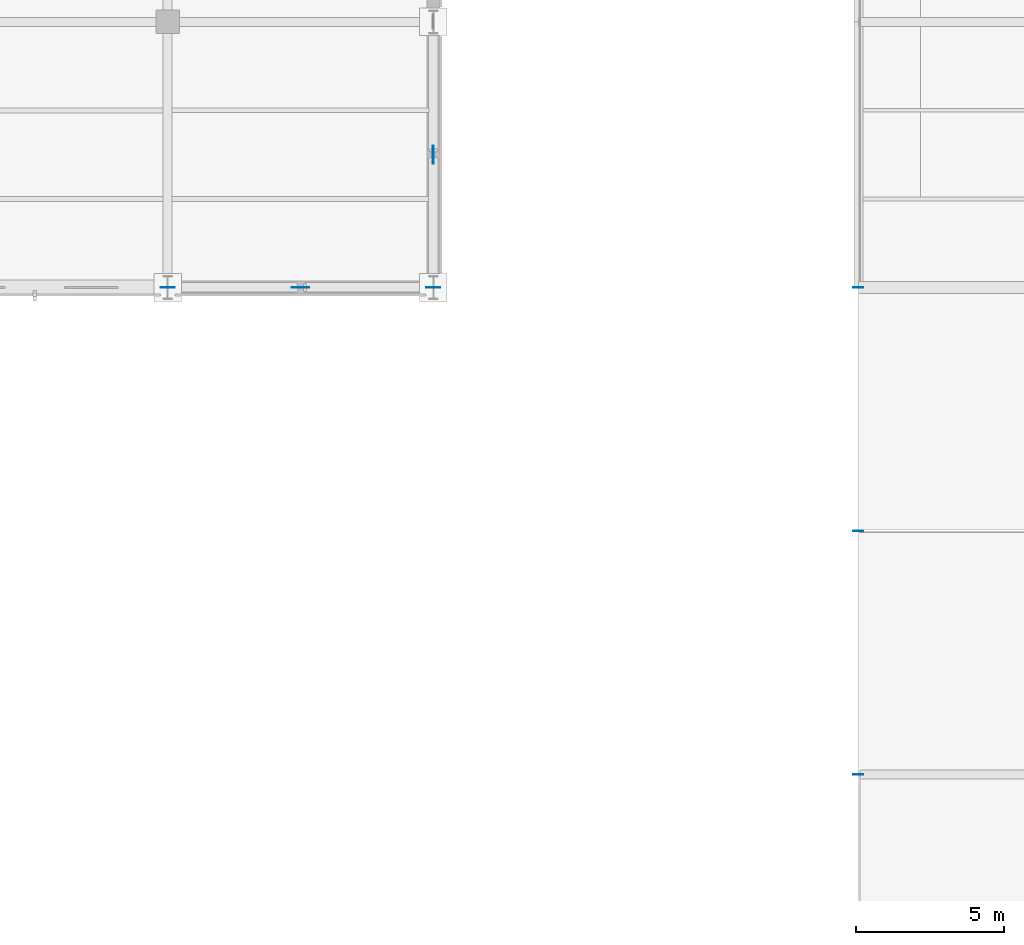
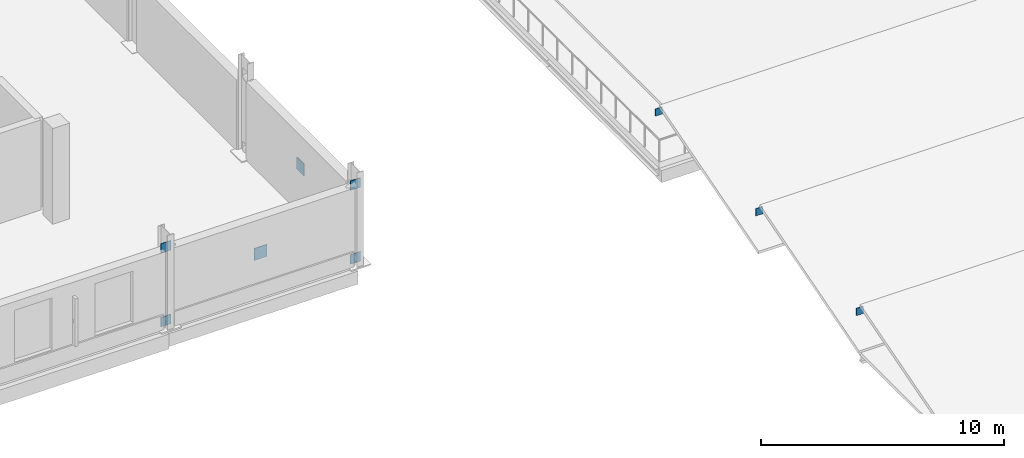
# One storey, part 23 of 54: 9 plates.
"""IFC4 building model written with IfcOpenShell, lengths in metres."""

from ifc_helpers import new_model, si_unit, direction, frame, origin, origin_2d, place, context, subcontext, project, spatial, rectangle, extrude, material, layer, layer_set, type_object, element, save


model = new_model("IFC4")

# Units and contexts
model_context = context("Model", 3, precision=1e-05, world=origin(), true_north=direction((0.0, 1.0)))
body_context = subcontext(model_context, "Body", "Model", "MODEL_VIEW")
ifc_project = project(units=[si_unit("LENGTHUNIT", "METRE"), si_unit("AREAUNIT", "SQUARE_METRE"), si_unit("VOLUMEUNIT", "CUBIC_METRE"), si_unit("PLANEANGLEUNIT", "RADIAN"), si_unit("MASSUNIT", "GRAM", prefix="KILO")], contexts=[model_context])

# Site, building, storey
site_placement = place(None, origin())
site = spatial("IfcSite", under=ifc_project, at=site_placement, CompositionType="ELEMENT")
building_placement = place(site_placement, origin())
building = spatial("IfcBuilding", under=site, at=building_placement, Name="Sundgate Opera House", CompositionType="ELEMENT")
storey_placement = place(building_placement, frame((0.0, 0.0, 16.800048828125)))
storey = spatial("IfcBuildingStorey", under=building, at=storey_placement, Name="L03", CompositionType="ELEMENT", Elevation=16.800048828125)

# Plates
ifc_material_1 = material(Name="Steel S355J2", Category="steel")
ifc_layer_1 = layer(ifc_material_1, 0.02587890625)
ifc_layer_set_1 = layer_set([ifc_layer_1], Name="Steel S355J2")
plate_type_1 = type_object("IfcPlateType", Name="PT-BAS-26", PredefinedType="USERDEFINED", material=ifc_layer_set_1)
for number, where, z_axis, x_axis, name in (
    (1, (95.39990234375, 16.5, 2.3701171875), (0.0, 0.0, 1.0), (1.0, 0.0, 0.0), "Sawtooth Rafter End Cap PT0793"),
    (2, (95.39990234375, 24.75, 2.3701171875), (0.0, 0.0, 1.0), (1.0, 0.0, 0.0), "Sawtooth Rafter End Cap PT0811"),
    (3, (95.39990234375, 33.0, 2.3701171875), (0.0, 0.0, 1.0), (1.0, 0.0, 0.0), "Sawtooth Rafter End Cap PT0829"),
):
    element("IfcPlate", number, at=place(storey_placement, frame(where, z_axis=z_axis, x_axis=x_axis)), inside=storey, type_object=plate_type_1, Name=name, ObjectType="BASE PLATE", PredefinedType="USERDEFINED", context=body_context, shape_type="SweptSolid", body=[
        extrude(rectangle(XDim=0.340087890625, YDim=0.02587890625, at=origin_2d()), origin(), (0.0, 0.0, 1.0), 0.360107421875),
    ])
ifc_material_2 = material(Name="Steel S355J2", Category="steel")
ifc_layer_2 = layer(ifc_material_2, 0.028076171875)
ifc_layer_set_2 = layer_set([ifc_layer_2], Name="Steel S355J2")
plate_type_2 = type_object("IfcPlateType", Name="PT-GUS-28", PredefinedType="USERDEFINED", material=ifc_layer_set_2)
for number, where, z_axis, x_axis, name in (
    (4, (72.0, 33.0, 0.010009765625), (0.0, 0.0, 1.0), (1.0, 0.0, 0.0), "L03 Belt-Truss End Gusset"),
    (5, (81.0, 33.0, 3.7099609375), (0.0, 0.0, 1.0), (1.0, 0.0, 0.0), "L03 Belt-Truss End Gusset"),
    (6, (81.0, 33.0, 0.010009765625), (0.0, 0.0, 1.0), (1.0, 0.0, 0.0), "L03 Belt-Truss End Gusset"),
    (7, (72.0, 33.0, 3.7099609375), (0.0, 0.0, 1.0), (1.0, 0.0, 0.0), "L03 Belt-Truss End Gusset"),
):
    element("IfcPlate", number, at=place(storey_placement, frame(where, z_axis=z_axis, x_axis=x_axis)), inside=storey, type_object=plate_type_2, Name=name, ObjectType="GUSSET PLATE", PredefinedType="USERDEFINED", context=body_context, shape_type="SweptSolid", body=[
        extrude(rectangle(XDim=0.47998046875, YDim=0.028076171875, at=origin_2d()), origin(), (0.0, 0.0, 1.0), 0.47998046875),
    ])
ifc_material_3 = material(Name="Steel S355J2", Category="steel")
ifc_layer_3 = layer(ifc_material_3, 0.031982421875)
ifc_layer_set_3 = layer_set([ifc_layer_3], Name="Steel S355J2")
plate_type_3 = type_object("IfcPlateType", Name="PT-GUS-32", PredefinedType="USERDEFINED", material=ifc_layer_set_3)
plate_1_placement = place(storey_placement, frame((76.5, 33.0, 1.7998046875), z_axis=(0.0, 0.0, 1.0), x_axis=(1.0, 0.0, 0.0)))
element("IfcPlate", 8, at=plate_1_placement, inside=storey, type_object=plate_type_3, Name="L03 Belt-Truss Central Crossing Gusset", ObjectType="GUSSET PLATE", PredefinedType="USERDEFINED", context=body_context, shape_type="SweptSolid", body=[
    extrude(rectangle(XDim=0.60009765625, YDim=0.031982421875, at=origin_2d()), origin(), (0.0, 0.0, 1.0), 0.60009765625),
])
plate_2_placement = place(storey_placement, frame((81.0, 37.5, 1.7998046875), z_axis=(0.0, 0.0, 1.0), x_axis=(1.0, 0.0, 0.0)))
element("IfcPlate", 9, at=plate_2_placement, inside=storey, type_object=plate_type_3, Name="L03 Belt-Truss Central Crossing Gusset", ObjectType="GUSSET PLATE", PredefinedType="USERDEFINED", context=body_context, shape_type="SweptSolid", body=[
    extrude(rectangle(XDim=0.031982421875, YDim=0.60009765625, at=origin_2d()), origin(), (0.0, 0.0, 1.0), 0.60009765625),
])

save(model, "model.ifc")
